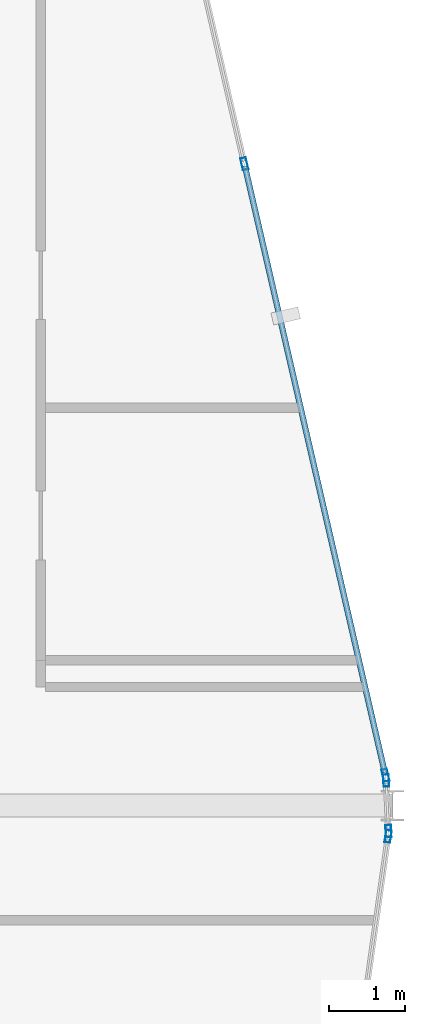
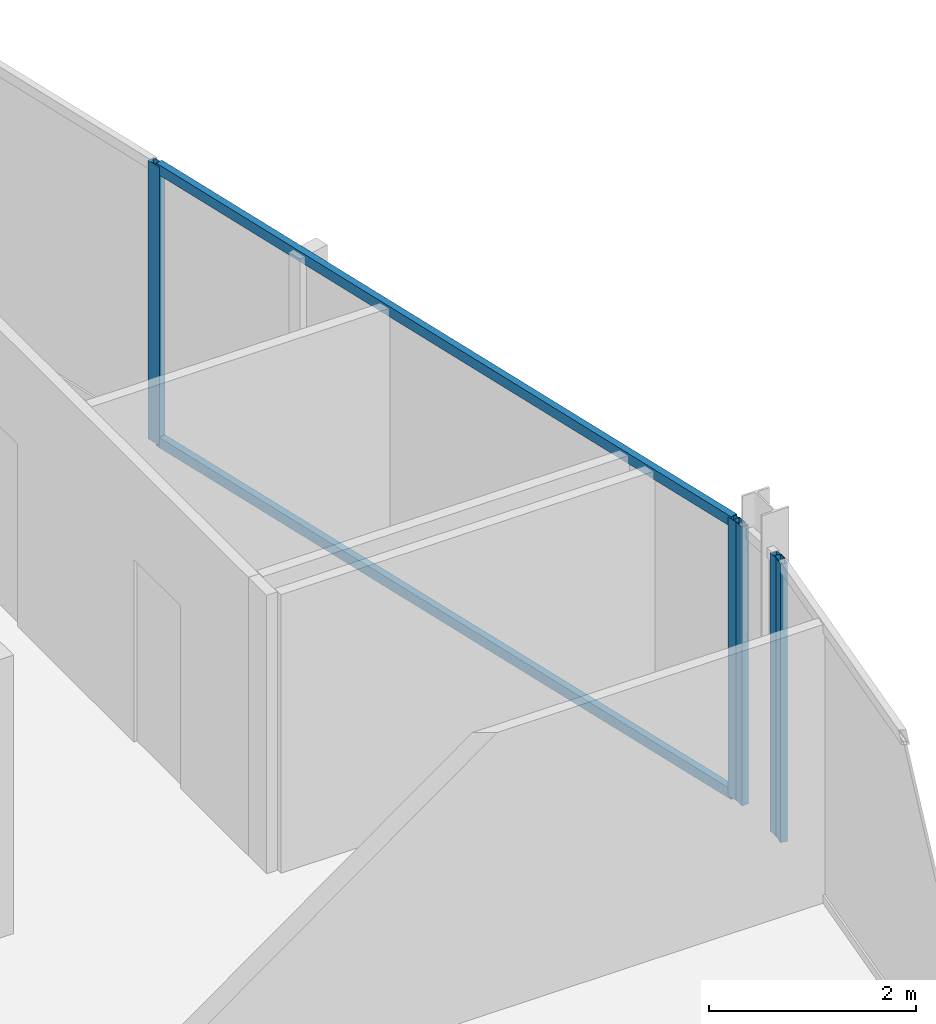
# One storey, part 14 of 27: 7 members, 3 elements without a shape of their own.
"""IFC4 building model written with IfcOpenShell, lengths in metres."""

from ifc_helpers import new_model, si_unit, direction, frame, origin, origin_2d, place, context, subcontext, project, spatial, hollow_rectangle, extrude, material, layer, layer_set, material_profile, profile_set, type_object, element, aggregate, save


model = new_model("IFC4")

# Units and contexts
model_context = context("Model", 3, precision=1e-05, world=origin(), true_north=direction((0.0, 1.0)))
body_context = subcontext(model_context, "Body", "Model", "MODEL_VIEW")
ifc_project = project(units=[si_unit("LENGTHUNIT", "METRE"), si_unit("AREAUNIT", "SQUARE_METRE"), si_unit("VOLUMEUNIT", "CUBIC_METRE"), si_unit("PLANEANGLEUNIT", "RADIAN"), si_unit("MASSUNIT", "GRAM", prefix="KILO")], contexts=[model_context])

# Site, building, storey
site_placement = place(None, origin())
site = spatial("IfcSite", under=ifc_project, at=site_placement, CompositionType="ELEMENT")
building_placement = place(site_placement, origin())
building = spatial("IfcBuilding", under=site, at=building_placement, Name="Keshet Zoharim Tower", CompositionType="ELEMENT")
storey_placement = place(building_placement, frame((0.0, 0.0, 311.0)))
storey = spatial("IfcBuildingStorey", under=building, at=storey_placement, Name="L78", CompositionType="ELEMENT", Elevation=311.0)

# Curtain wall, members
ifc_material = material(Name="Aluminium 6063-T6", Category="aluminium")
ifc_layer = layer(ifc_material, 0.260009765625)
ifc_layer_set = layer_set([ifc_layer], Name="Aluminium 6063-T6")
curtain_wall_type = type_object("IfcCurtainWallType", Name="CW-SYS-06", PredefinedType="NOTDEFINED", material=ifc_layer_set)
curtain_wall_1_placement = place(storey_placement, origin())
curtain_wall_1 = element("IfcCurtainWall", 1, at=curtain_wall_1_placement, inside=storey, type_object=curtain_wall_type, Name="L78 Unitised Curtain Wall 09", PredefinedType="NOTDEFINED")
ifc_material_profile_1 = material_profile(ifc_material, hollow_rectangle(XDim=0.074951171875, YDim=0.159912109375, WallThickness=0.00390625, at=origin_2d()), Name="MUL-75x160")
ifc_profile_set_1 = profile_set([ifc_material_profile_1], Name="Aluminium 6063-T6")
member_type_1 = type_object("IfcMemberType", Name="CWM-M15", PredefinedType="MULLION", material=ifc_profile_set_1)
member_1_placement = place(storey_placement, frame((43.063232421875, 36.291259765625, 0.0), z_axis=(0.0, 0.0, 1.0), x_axis=(0.974398012932, 0.224829963294, 0.0)))
member_1 = element("IfcMember", 2, at=member_1_placement, type_object=member_type_1, Name="CW-06 mullion 3", PredefinedType="MULLION", context=body_context, shape_type="SweptSolid", body=[
    extrude(hollow_rectangle(XDim=0.074951171875, YDim=0.159912109375, WallThickness=0.00390625, at=origin_2d()), origin(), (0.0, 0.0, 1.0), 3.280029296875),
])
member_2_placement = place(storey_placement, frame((44.908203125, 28.296142578125, 0.0), z_axis=(0.0, 0.0, 1.0), x_axis=(0.974398012932, 0.224829963294, 0.0)))
member_2 = element("IfcMember", 3, at=member_2_placement, type_object=member_type_1, Name="CW-06 mullion 4", PredefinedType="MULLION", context=body_context, shape_type="SweptSolid", body=[
    extrude(hollow_rectangle(XDim=0.074951171875, YDim=0.159912109375, WallThickness=0.00390625, at=origin_2d()), origin(), (0.0, 0.0, 1.0), 3.280029296875),
])

curtain_wall_2_placement = place(storey_placement, origin())
curtain_wall_2 = element("IfcCurtainWall", 4, at=curtain_wall_2_placement, inside=storey, type_object=curtain_wall_type, Name="L78 Unitised Curtain Wall 10", PredefinedType="NOTDEFINED")
member_3_placement = place(storey_placement, frame((44.91748046875, 28.22705078125, 0.0), z_axis=(0.0, 0.0, 1.0), x_axis=(0.999040601801, 0.043793560626, 0.0)))
member_3 = element("IfcMember", 5, at=member_3_placement, type_object=member_type_1, Name="CW-06 mullion 1", PredefinedType="MULLION", context=body_context, shape_type="SweptSolid", body=[
    extrude(hollow_rectangle(XDim=0.074951171875, YDim=0.159912109375, WallThickness=0.00390625, at=origin_2d()), origin(), (0.0, 0.0, 1.0), 3.280029296875),
])
member_4_placement = place(storey_placement, frame((44.946533203125, 27.56689453125, 0.0), z_axis=(0.0, 0.0, 1.0), x_axis=(0.999040601801, 0.043793560626, 0.0)))
member_4 = element("IfcMember", 6, at=member_4_placement, type_object=member_type_1, Name="CW-06 mullion 2", PredefinedType="MULLION", context=body_context, shape_type="SweptSolid", body=[
    extrude(hollow_rectangle(XDim=0.074951171875, YDim=0.159912109375, WallThickness=0.00390625, at=origin_2d()), origin(), (0.0, 0.0, 1.0), 3.280029296875),
])
aggregate(curtain_wall_2, [member_3, member_4])

# Curtain wall, member
curtain_wall_3_placement = place(storey_placement, origin())
curtain_wall_3 = element("IfcCurtainWall", 7, at=curtain_wall_3_placement, inside=storey, type_object=curtain_wall_type, Name="L78 Unitised Curtain Wall 11", PredefinedType="NOTDEFINED")
member_5_placement = place(storey_placement, frame((44.943115234375, 27.497314453125, 0.0), z_axis=(0.0, 0.0, 1.0), x_axis=(0.990132057422, -0.140137464177, 0.0)))
member_5 = element("IfcMember", 8, at=member_5_placement, type_object=member_type_1, Name="CW-06 mullion 1", PredefinedType="MULLION", context=body_context, shape_type="SweptSolid", body=[
    extrude(hollow_rectangle(XDim=0.074951171875, YDim=0.159912109375, WallThickness=0.00390625, at=origin_2d()), origin(), (0.0, 0.0, 1.0), 3.280029296875),
])
aggregate(curtain_wall_3, [member_5])

# Member
ifc_material_profile_2 = material_profile(ifc_material, hollow_rectangle(XDim=0.074951171875, YDim=0.1201171875, WallThickness=0.00390625, at=origin_2d()), Name="TRN-75x120")
ifc_profile_set_2 = profile_set([ifc_material_profile_2], Name="Aluminium 6063-T6")
member_type_2 = type_object("IfcMemberType", Name="CWT-T12", PredefinedType="USERDEFINED", material=ifc_profile_set_2)
member_6_placement = place(storey_placement, frame((43.0712890625, 36.25732421875, 0.034912109375), z_axis=(0.224806904107, -0.974403333259, 0.0), x_axis=(0.974403333259, 0.224806904107, 0.0)))
member_6 = element("IfcMember", 9, at=member_6_placement, type_object=member_type_2, Name="CW-06 transom 3.1", ObjectType="TRANSOM", PredefinedType="USERDEFINED", context=body_context, shape_type="SweptSolid", body=[
    extrude(hollow_rectangle(XDim=0.074951171875, YDim=0.1201171875, WallThickness=0.00390625, at=origin_2d()), origin(), (0.0, 0.0, 1.0), 8.13525390625),
])

member_7_placement = place(storey_placement, frame((43.0712890625, 36.25732421875, 3.2451171875), z_axis=(0.224806904107, -0.974403333259, 0.0), x_axis=(0.974403333259, 0.224806904107, 0.0)))
member_7 = element("IfcMember", 10, at=member_7_placement, type_object=member_type_2, Name="CW-06 transom 3.2", ObjectType="TRANSOM", PredefinedType="USERDEFINED", context=body_context, shape_type="SweptSolid", body=[
    extrude(hollow_rectangle(XDim=0.074951171875, YDim=0.1201171875, WallThickness=0.00390625, at=origin_2d()), origin(), (0.0, 0.0, 1.0), 8.13525390625),
])

aggregate(curtain_wall_1, [member_1, member_2, member_6, member_7])

save(model, "model.ifc")
